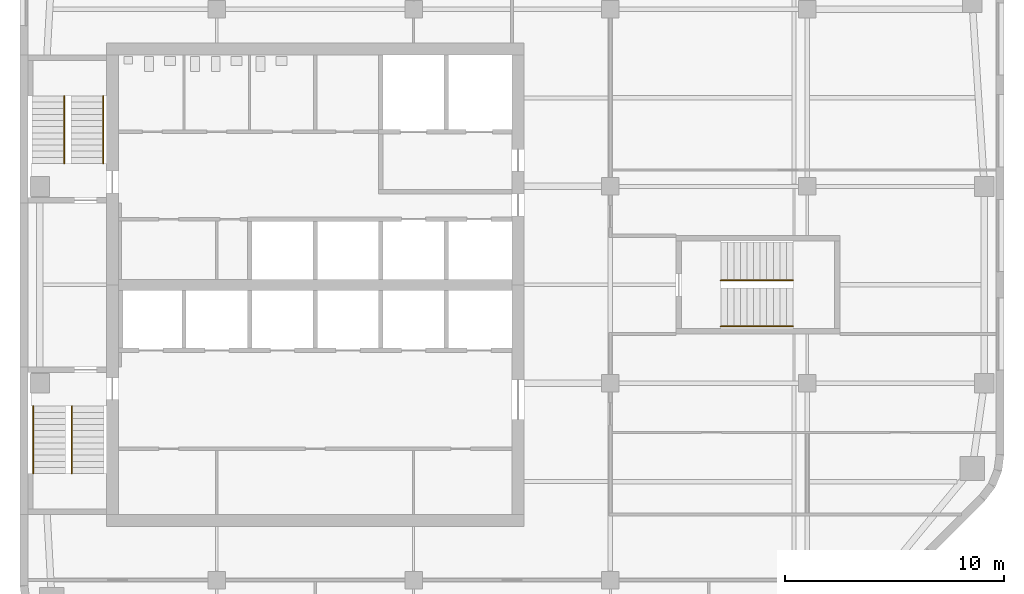
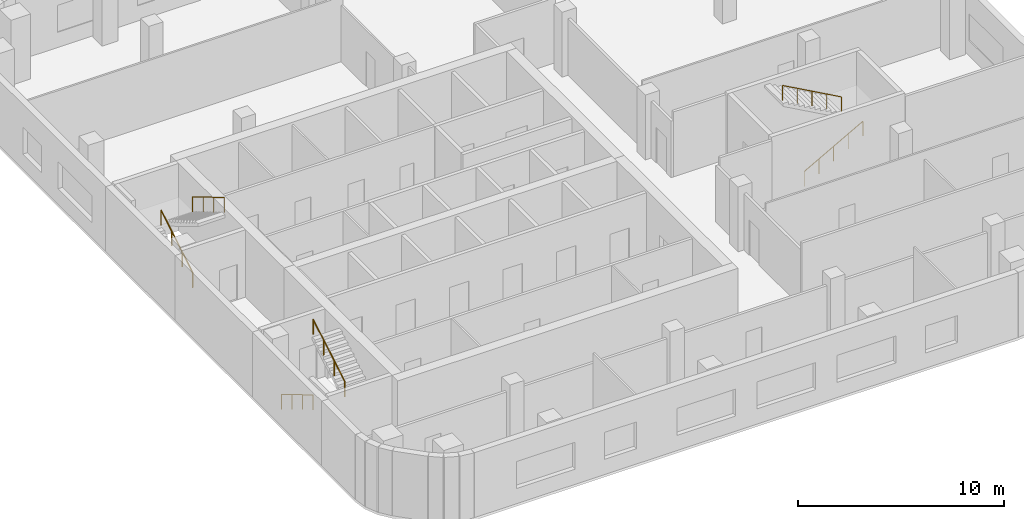
# One storey, part 6 of 7: 6 railings, 3 elements without a shape of their own.
"""IFC4 building model written with IfcOpenShell, lengths in metres."""

from ifc_helpers import new_model, si_unit, direction, frame, origin, origin_2d, place, context, subcontext, project, spatial, circle, extrude, material, type_object, element, aggregate, save


model = new_model("IFC4")

# Units and contexts
model_context = context("Model", 3, precision=1e-05, world=origin(), true_north=direction((0.0, 1.0)))
body_context = subcontext(model_context, "Body", "Model", "MODEL_VIEW")
ifc_project = project(units=[si_unit("LENGTHUNIT", "METRE"), si_unit("AREAUNIT", "SQUARE_METRE"), si_unit("VOLUMEUNIT", "CUBIC_METRE"), si_unit("PLANEANGLEUNIT", "RADIAN"), si_unit("MASSUNIT", "GRAM", prefix="KILO")], contexts=[model_context])

# Site, building, storey
site_placement = place(None, origin())
site = spatial("IfcSite", under=ifc_project, at=site_placement, CompositionType="ELEMENT")
building_placement = place(site_placement, origin())
building = spatial("IfcBuilding", under=site, at=building_placement, Name="Cinnabar Reach Civic Tower", CompositionType="ELEMENT")
storey_placement = place(building_placement, frame((0.0, 0.0, 218.0)))
storey = spatial("IfcBuildingStorey", under=building, at=storey_placement, Name="L52", CompositionType="ELEMENT", Elevation=218.0)

# Stair, railings
ifc_material_1 = material(Name="Concrete C40/50", Category="concrete")
stair_type = type_object("IfcStairType", Name="T1 Exit stair, half-turn", PredefinedType="HALF_TURN_STAIR", material=ifc_material_1)
stair_1_placement = place(storey_placement, origin())
stair_1 = element("IfcStair", 1, at=stair_1_placement, inside=storey, type_object=stair_type, Name="Stair T1-S1", PredefinedType="HALF_TURN_STAIR")
ifc_material_2 = material(Name="Stainless steel tube", Category="steel")
railing_type = type_object("IfcRailingType", Name="T1 Stair handrail, stainless tube 48", PredefinedType="HANDRAIL", material=ifc_material_2)
railing_1_placement = place(storey_placement, frame((0.6, 25.95, 0.1667)))
railing_1 = element("IfcRailing", 2, at=railing_1_placement, type_object=railing_type, Name="T1-S1 handrail 1", PredefinedType="HANDRAIL", context=body_context, shape_type="SweptSolid", body=[
    extrude(circle(Radius=0.024, at=origin_2d()), frame((0.0, 0.0, 0.876), z_axis=(0.0, -0.859296971757, 0.511476992962), x_axis=(1.0, 0.0, 0.0)), (0.0, 0.0, 1.0), 3.5843),
    extrude(circle(Radius=0.021, at=origin_2d()), origin(), (0.0, 0.0, 1.0), 0.852),
    extrude(circle(Radius=0.021, at=origin_2d()), frame((0.0, -1.0267, 0.6111)), (0.0, 0.0, 1.0), 0.852),
    extrude(circle(Radius=0.021, at=origin_2d()), frame((0.0, -2.0533, 1.2222)), (0.0, 0.0, 1.0), 0.852),
    extrude(circle(Radius=0.021, at=origin_2d()), frame((0.0, -3.08, 1.8333)), (0.0, 0.0, 1.0), 0.852),
])
railing_2_placement = place(storey_placement, frame((2.375, 22.87, 2.1667)))
railing_2 = element("IfcRailing", 3, at=railing_2_placement, type_object=railing_type, Name="T1-S1 handrail 2", PredefinedType="HANDRAIL", context=body_context, shape_type="SweptSolid", body=[
    extrude(circle(Radius=0.024, at=origin_2d()), frame((0.0, 0.0, 0.876), z_axis=(0.0, 0.859296971757, 0.511476992962), x_axis=(-1.0, 0.0, 0.0)), (0.0, 0.0, 1.0), 3.5843),
    extrude(circle(Radius=0.021, at=origin_2d()), origin(), (0.0, 0.0, 1.0), 0.852),
    extrude(circle(Radius=0.021, at=origin_2d()), frame((0.0, 1.0267, 0.6111)), (0.0, 0.0, 1.0), 0.852),
    extrude(circle(Radius=0.021, at=origin_2d()), frame((0.0, 2.0533, 1.2222)), (0.0, 0.0, 1.0), 0.852),
    extrude(circle(Radius=0.021, at=origin_2d()), frame((0.0, 3.08, 1.8333)), (0.0, 0.0, 1.0), 0.852),
])
aggregate(stair_1, [railing_1, railing_2])

stair_2_placement = place(storey_placement, origin())
stair_2 = element("IfcStair", 4, at=stair_2_placement, inside=storey, type_object=stair_type, Name="Stair T1-S2", PredefinedType="HALF_TURN_STAIR")
railing_3_placement = place(storey_placement, frame((2.025, 37.05, 0.1667)))
railing_3 = element("IfcRailing", 5, at=railing_3_placement, type_object=railing_type, Name="T1-S2 handrail 1", PredefinedType="HANDRAIL", context=body_context, shape_type="SweptSolid", body=[
    extrude(circle(Radius=0.024, at=origin_2d()), frame((0.0, 0.0, 0.876), z_axis=(0.0, 0.859296971757, 0.511476992962), x_axis=(-1.0, 0.0, 0.0)), (0.0, 0.0, 1.0), 3.5843),
    extrude(circle(Radius=0.021, at=origin_2d()), origin(), (0.0, 0.0, 1.0), 0.852),
    extrude(circle(Radius=0.021, at=origin_2d()), frame((0.0, 1.0267, 0.6111)), (0.0, 0.0, 1.0), 0.852),
    extrude(circle(Radius=0.021, at=origin_2d()), frame((0.0, 2.0533, 1.2222)), (0.0, 0.0, 1.0), 0.852),
    extrude(circle(Radius=0.021, at=origin_2d()), frame((0.0, 3.08, 1.8333)), (0.0, 0.0, 1.0), 0.852),
])
railing_4_placement = place(storey_placement, frame((3.8, 40.13, 2.1667)))
railing_4 = element("IfcRailing", 6, at=railing_4_placement, type_object=railing_type, Name="T1-S2 handrail 2", PredefinedType="HANDRAIL", context=body_context, shape_type="SweptSolid", body=[
    extrude(circle(Radius=0.024, at=origin_2d()), frame((0.0, 0.0, 0.876), z_axis=(0.0, -0.859296971757, 0.511476992962), x_axis=(1.0, 0.0, 0.0)), (0.0, 0.0, 1.0), 3.5843),
    extrude(circle(Radius=0.021, at=origin_2d()), origin(), (0.0, 0.0, 1.0), 0.852),
    extrude(circle(Radius=0.021, at=origin_2d()), frame((0.0, -1.0267, 0.6111)), (0.0, 0.0, 1.0), 0.852),
    extrude(circle(Radius=0.021, at=origin_2d()), frame((0.0, -2.0533, 1.2222)), (0.0, 0.0, 1.0), 0.852),
    extrude(circle(Radius=0.021, at=origin_2d()), frame((0.0, -3.08, 1.8333)), (0.0, 0.0, 1.0), 0.852),
])
aggregate(stair_2, [railing_3, railing_4])

stair_3_placement = place(storey_placement, origin())
stair_3 = element("IfcStair", 7, at=stair_3_placement, inside=storey, type_object=stair_type, Name="Stair T1-S3", PredefinedType="HALF_TURN_STAIR")
railing_5_placement = place(storey_placement, frame((32.05, 29.6, 0.1667)))
railing_5 = element("IfcRailing", 8, at=railing_5_placement, type_object=railing_type, Name="T1-S3 handrail 1", PredefinedType="HANDRAIL", context=body_context, shape_type="SweptSolid", body=[
    extrude(circle(Radius=0.024, at=origin_2d()), frame((0.0, 0.0, 0.876), z_axis=(0.874161024642, 0.0, 0.485636183781), x_axis=(0.0, 1.0, 0.0)), (0.0, 0.0, 1.0), 3.775),
    extrude(circle(Radius=0.021, at=origin_2d()), origin(), (0.0, 0.0, 1.0), 0.852),
    extrude(circle(Radius=0.021, at=origin_2d()), frame((0.825, 0.0, 0.4583)), (0.0, 0.0, 1.0), 0.852),
    extrude(circle(Radius=0.021, at=origin_2d()), frame((1.65, 0.0, 0.9167)), (0.0, 0.0, 1.0), 0.852),
    extrude(circle(Radius=0.021, at=origin_2d()), frame((2.475, 0.0, 1.375)), (0.0, 0.0, 1.0), 0.852),
    extrude(circle(Radius=0.021, at=origin_2d()), frame((3.3, 0.0, 1.8333)), (0.0, 0.0, 1.0), 0.852),
])
railing_6_placement = place(storey_placement, frame((35.35, 31.7, 2.1667)))
railing_6 = element("IfcRailing", 9, at=railing_6_placement, type_object=railing_type, Name="T1-S3 handrail 2", PredefinedType="HANDRAIL", context=body_context, shape_type="SweptSolid", body=[
    extrude(circle(Radius=0.024, at=origin_2d()), frame((0.0, 0.0, 0.876), z_axis=(-0.874161024642, 0.0, 0.485636183781), x_axis=(0.0, -1.0, 0.0)), (0.0, 0.0, 1.0), 3.775),
    extrude(circle(Radius=0.021, at=origin_2d()), origin(), (0.0, 0.0, 1.0), 0.852),
    extrude(circle(Radius=0.021, at=origin_2d()), frame((-0.825, 0.0, 0.4583)), (0.0, 0.0, 1.0), 0.852),
    extrude(circle(Radius=0.021, at=origin_2d()), frame((-1.65, 0.0, 0.9167)), (0.0, 0.0, 1.0), 0.852),
    extrude(circle(Radius=0.021, at=origin_2d()), frame((-2.475, 0.0, 1.375)), (0.0, 0.0, 1.0), 0.852),
    extrude(circle(Radius=0.021, at=origin_2d()), frame((-3.3, 0.0, 1.8333)), (0.0, 0.0, 1.0), 0.852),
])
aggregate(stair_3, [railing_5, railing_6])

save(model, "model.ifc")
